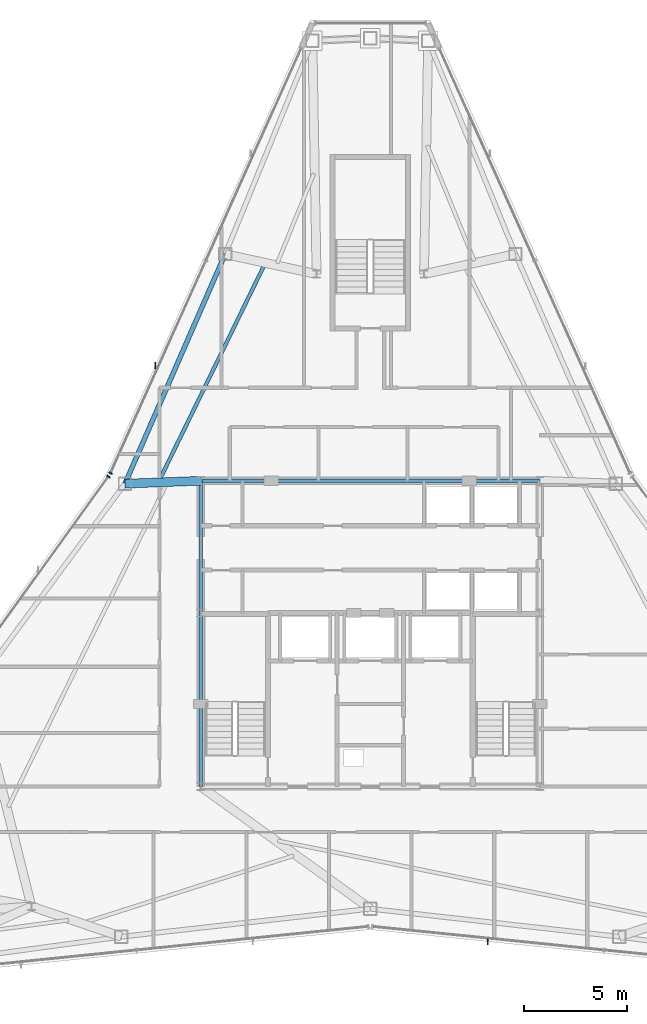
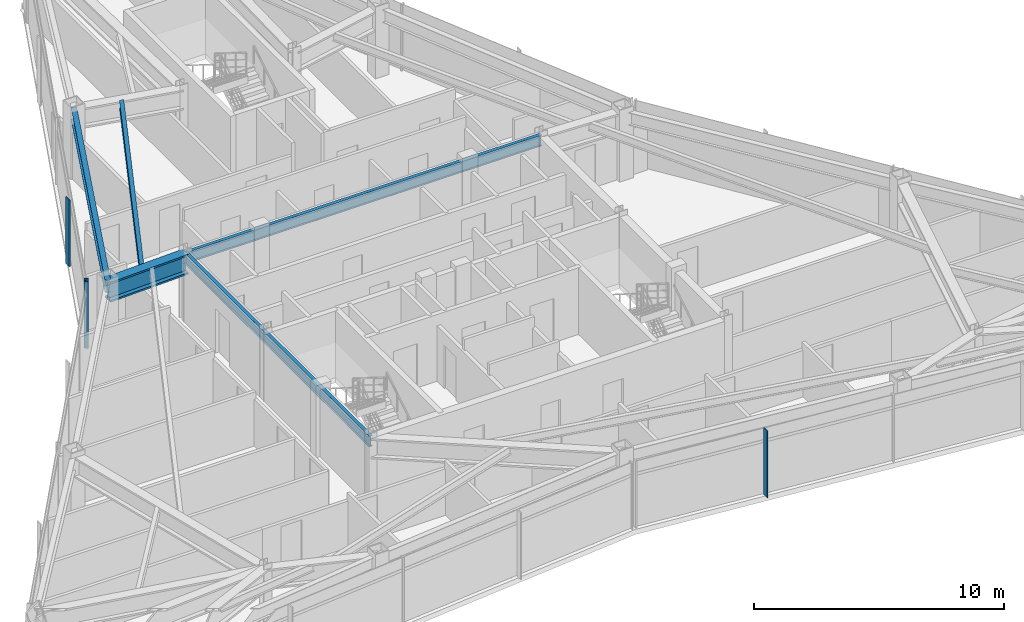
# One storey, part 5 of 12: 5 beams, 4 members, 3 elements without a shape of their own.
"""IFC4 building model written with IfcOpenShell, lengths in metres."""

from ifc_helpers import new_model, si_unit, direction, frame, origin, origin_2d, place, context, subcontext, project, spatial, rectangle, i_section, extrude, source, transform, mapped, material, layer, layer_set, material_profile, profile_set, type_object, type_shapes, element, aggregate, save


model = new_model("IFC4")

# Units and contexts
model_context = context("Model", 3, precision=1e-05, world=origin(), true_north=direction((0.0, 1.0)))
body_context = subcontext(model_context, "Body", "Model", "MODEL_VIEW")
ifc_project = project(units=[si_unit("LENGTHUNIT", "METRE"), si_unit("AREAUNIT", "SQUARE_METRE"), si_unit("VOLUMEUNIT", "CUBIC_METRE"), si_unit("PLANEANGLEUNIT", "RADIAN"), si_unit("MASSUNIT", "GRAM", prefix="KILO")], contexts=[model_context])

# Site, building, storey
site_placement = place(None, origin())
site = spatial("IfcSite", under=ifc_project, at=site_placement, CompositionType="ELEMENT")
building_placement = place(site_placement, origin())
building = spatial("IfcBuilding", under=site, at=building_placement, Name="Varakhsha Concourse Tower", CompositionType="ELEMENT")
storey_placement = place(building_placement, frame((0.0, 0.0, 262.0)))
storey = spatial("IfcBuildingStorey", under=building, at=storey_placement, Name="L74", CompositionType="ELEMENT", Elevation=262.0)

# Beams
ifc_material_1 = material(Name="Structural Steel ASTM A992 Grade 50", Category="steel")
ifc_material_profile_1 = material_profile(ifc_material_1, i_section(OverallWidth=0.177978515625, OverallDepth=0.406982421875, WebThickness=0.008056640625, FlangeThickness=0.012939453125, at=origin_2d()), Name="W16X40")
ifc_profile_set_1 = profile_set([ifc_material_profile_1], Name="Structural Steel ASTM A992 Grade 50")
beam_type_1 = type_object("IfcBeamType", Name="BM-JST-W16X40", PredefinedType="JOIST", material=ifc_profile_set_1)
beam_1_placement = place(storey_placement, frame((34.875, 41.643798828125, 3.04638671875), z_axis=(-0.438334888597, -0.898811729696, 0.0), x_axis=(0.898811729696, -0.438334888597, 0.0)))
element("IfcBeam", 1, at=beam_1_placement, inside=storey, type_object=beam_type_1, Name="BM-TJST-L74-04", PredefinedType="JOIST", context=body_context, shape_type="SweptSolid", body=[
    extrude(i_section(OverallWidth=0.177978515625, OverallDepth=0.406982421875, WebThickness=0.008056640625, FlangeThickness=0.012939453125, at=origin_2d()), origin(), (0.0, 0.0, 1.0), 11.599609375),
])
ifc_material_profile_2 = material_profile(ifc_material_1, i_section(OverallWidth=0.1669921875, OverallDepth=0.534912109375, WebThickness=0.010009765625, FlangeThickness=0.01708984375, at=origin_2d()), Name="W21X57")
ifc_profile_set_2 = profile_set([ifc_material_profile_2], Name="Structural Steel ASTM A992 Grade 50")
beam_type_2 = type_object("IfcBeamType", Name="BM-RAD-W21X57", PredefinedType="BEAM", material=ifc_profile_set_2)
beam_2_placement = place(storey_placement, frame((31.800048828125, 31.199951171875, 2.982421875), z_axis=(1.0, 0.0, 0.0), x_axis=(0.0, 1.0, 0.0)))
element("IfcBeam", 2, at=beam_2_placement, inside=storey, type_object=beam_type_2, Name="BM-TCORE-L74-CN", PredefinedType="BEAM", context=body_context, shape_type="SweptSolid", body=[
    extrude(i_section(OverallWidth=0.1669921875, OverallDepth=0.534912109375, WebThickness=0.010009765625, FlangeThickness=0.01708984375, at=origin_2d()), origin(), (0.0, 0.0, 1.0), 16.39990234375),
])
beam_3_placement = place(storey_placement, frame((31.800048828125, 16.39990234375, 2.982421875), z_axis=(0.0, 1.0, 0.0), x_axis=(-1.0, 0.0, 0.0)))
element("IfcBeam", 3, at=beam_3_placement, inside=storey, type_object=beam_type_2, Name="BM-TCORE-L74-CW", PredefinedType="BEAM", context=body_context, shape_type="SweptSolid", body=[
    extrude(i_section(OverallWidth=0.1669921875, OverallDepth=0.534912109375, WebThickness=0.010009765625, FlangeThickness=0.01708984375, at=origin_2d()), origin(), (0.0, 0.0, 1.0), 14.800048828125),
])
ifc_material_profile_3 = material_profile(ifc_material_1, i_section(OverallWidth=0.22900390625, OverallDepth=0.612060546875, WebThickness=0.011962890625, FlangeThickness=0.02001953125, at=origin_2d()), Name="W24X84")
ifc_profile_set_3 = profile_set([ifc_material_profile_3], Name="Structural Steel ASTM A992 Grade 50")
beam_type_3 = type_object("IfcBeamType", Name="BM-SPAN-W24X84", PredefinedType="SPANDREL", material=ifc_profile_set_3)
beam_4_placement = place(storey_placement, frame((32.977294921875, 42.168701171875, 2.944091796875), z_axis=(-0.400099437724, -0.916471734388, 0.0), x_axis=(0.916471734388, -0.400099437724, 0.0)))
element("IfcBeam", 4, at=beam_4_placement, inside=storey, type_object=beam_type_3, Name="BM-SPAN-L74-04", PredefinedType="SPANDREL", context=body_context, shape_type="SweptSolid", body=[
    extrude(i_section(OverallWidth=0.22900390625, OverallDepth=0.612060546875, WebThickness=0.011962890625, FlangeThickness=0.02001953125, at=origin_2d()), origin(), (0.0, 0.0, 1.0), 12.1259765625),
])
ifc_material_profile_4 = material_profile(ifc_material_1, i_section(OverallWidth=0.427978515625, OverallDepth=0.97509765625, WebThickness=0.050048828125, FlangeThickness=0.0810546875, at=origin_2d()), Name="W36X395")
ifc_profile_set_4 = profile_set([ifc_material_profile_4], Name="Structural Steel ASTM A992 Grade 50")
beam_type_4 = type_object("IfcBeamType", Name="BM-XFER-W36X395", PredefinedType="USERDEFINED", material=ifc_profile_set_4)
beam_5_placement = place(storey_placement, frame((31.800048828125, 31.199951171875, 2.762451171875), z_axis=(-0.999229859365, -0.039238860258, 0.0), x_axis=(0.039238860258, -0.999229859365, 0.0)))
element("IfcBeam", 5, at=beam_5_placement, inside=storey, type_object=beam_type_4, Name="L74 Radial Floor Girder 05", ObjectType="GIRDER", PredefinedType="USERDEFINED", context=body_context, shape_type="SweptSolid", body=[
    extrude(i_section(OverallWidth=0.427978515625, OverallDepth=0.97509765625, WebThickness=0.050048828125, FlangeThickness=0.0810546875, at=origin_2d()), origin(), (0.0, 0.0, 1.0), 3.67724609375),
])

# Curtain wall, member
ifc_material_2 = material(Name="Anodised Bronze Architectural Aluminium AA 6063-T6", Category="aluminium")
ifc_layer = layer(ifc_material_2, 0.199951171875, Name="CW-SYS-05")
ifc_layer_set = layer_set([ifc_layer], Name="Anodised Bronze Architectural Aluminium AA 6063-T6")
curtain_wall_type = type_object("IfcCurtainWallType", Name="CW-SYS-05", PredefinedType="NOTDEFINED", material=ifc_layer_set)
curtain_wall_1_placement = place(storey_placement, origin())
curtain_wall_1 = element("IfcCurtainWall", 6, at=curtain_wall_1_placement, inside=storey, type_object=curtain_wall_type, Name="L74 Crystal Curtain Wall F2", PredefinedType="NOTDEFINED")
ifc_material_profile_5 = material_profile(ifc_material_2, rectangle(XDim=0.06494140625, YDim=0.179931640625, at=origin_2d()), Name="CWM-180X65")
ifc_profile_set_5 = profile_set([ifc_material_profile_5], Name="Anodised Bronze Architectural Aluminium AA 6063-T6")
member_type_1 = type_object("IfcMemberType", Name="CWM-180X65", PredefinedType="MULLION", material=ifc_profile_set_5)
shared_shape_1 = source(origin(), body_context, "Body", "SweptSolid", [
    extrude(rectangle(XDim=0.06494140625, YDim=0.179931640625, at=origin_2d()), origin(), (0.0, 0.0, 1.0), 3.25),
])
type_shapes(member_type_1, [shared_shape_1])
member_1_placement = place(storey_placement, frame((27.427978515625, 31.569091796875, 0.0), z_axis=(0.0, 0.0, 1.0), x_axis=(0.409661937266, 0.912237412714, 0.0)))
member_1 = element("IfcMember", 7, at=member_1_placement, type_object=member_type_1, Name="CW-L74-F2 Mullion 00", PredefinedType="MULLION", context=body_context, shape_type="MappedRepresentation", body=[
    mapped(shared_shape_1, transform((0.0, 0.0, 0.0), scale=1.0)),
])

curtain_wall_2_placement = place(storey_placement, origin())
curtain_wall_2 = element("IfcCurtainWall", 8, at=curtain_wall_2_placement, inside=storey, type_object=curtain_wall_type, Name="L74 Crystal Curtain Wall F3", PredefinedType="NOTDEFINED")
member_2_placement = place(storey_placement, frame((27.332275390625, 31.403076171875, 0.0), z_axis=(0.0, 0.0, 1.0), x_axis=(0.585188389778, 0.81089737234, 0.0)))
member_2 = element("IfcMember", 9, at=member_2_placement, type_object=member_type_1, Name="CW-L74-F3 Mullion 02", PredefinedType="MULLION", context=body_context, shape_type="MappedRepresentation", body=[
    mapped(shared_shape_1, transform((0.0, 0.0, 0.0), scale=1.0)),
])
aggregate(curtain_wall_2, [member_2])

# Member
ifc_material_profile_6 = material_profile(ifc_material_2, rectangle(XDim=0.054931640625, YDim=0.300048828125, at=origin_2d()), Name="FIN-BRZ-300")
ifc_profile_set_6 = profile_set([ifc_material_profile_6], Name="Anodised Bronze Architectural Aluminium AA 6063-T6")
member_type_2 = type_object("IfcMemberType", Name="FIN-BRZ-300", PredefinedType="USERDEFINED", material=ifc_profile_set_6)
shared_shape_2 = source(origin(), body_context, "Body", "SweptSolid", [
    extrude(rectangle(XDim=0.054931640625, YDim=0.300048828125, at=origin_2d()), origin(), (0.0, 0.0, 1.0), 3.25),
])
type_shapes(member_type_2, [shared_shape_2])
member_3_placement = place(storey_placement, frame((29.58642578125, 36.7783203125, 0.0), z_axis=(0.0, 0.0, 1.0), x_axis=(1.0, 0.0, 0.0)))
member_3 = element("IfcMember", 10, at=member_3_placement, type_object=member_type_2, Name="L74 Anodised Bronze Solar Fin F2-1", ObjectType="SOLAR FIN", PredefinedType="USERDEFINED", context=body_context, shape_type="MappedRepresentation", body=[
    mapped(shared_shape_2, transform((0.0, 0.0, 0.0), scale=1.0)),
])

aggregate(curtain_wall_1, [member_1, member_3])

# Curtain wall, member
curtain_wall_3_placement = place(storey_placement, origin())
curtain_wall_3 = element("IfcCurtainWall", 11, at=curtain_wall_3_placement, inside=storey, type_object=curtain_wall_type, Name="L74 Crystal Curtain Wall F6", PredefinedType="NOTDEFINED")
member_4_placement = place(storey_placement, frame((45.6865234375, 8.892578125, 0.0), z_axis=(0.0, 0.0, 1.0), x_axis=(1.0, 0.0, 0.0)))
member_4 = element("IfcMember", 12, at=member_4_placement, type_object=member_type_2, Name="L74 Anodised Bronze Solar Fin F6-2", ObjectType="SOLAR FIN", PredefinedType="USERDEFINED", context=body_context, shape_type="MappedRepresentation", body=[
    mapped(shared_shape_2, transform((0.0, 0.0, 0.0), scale=1.0)),
])
aggregate(curtain_wall_3, [member_4])

save(model, "model.ifc")
